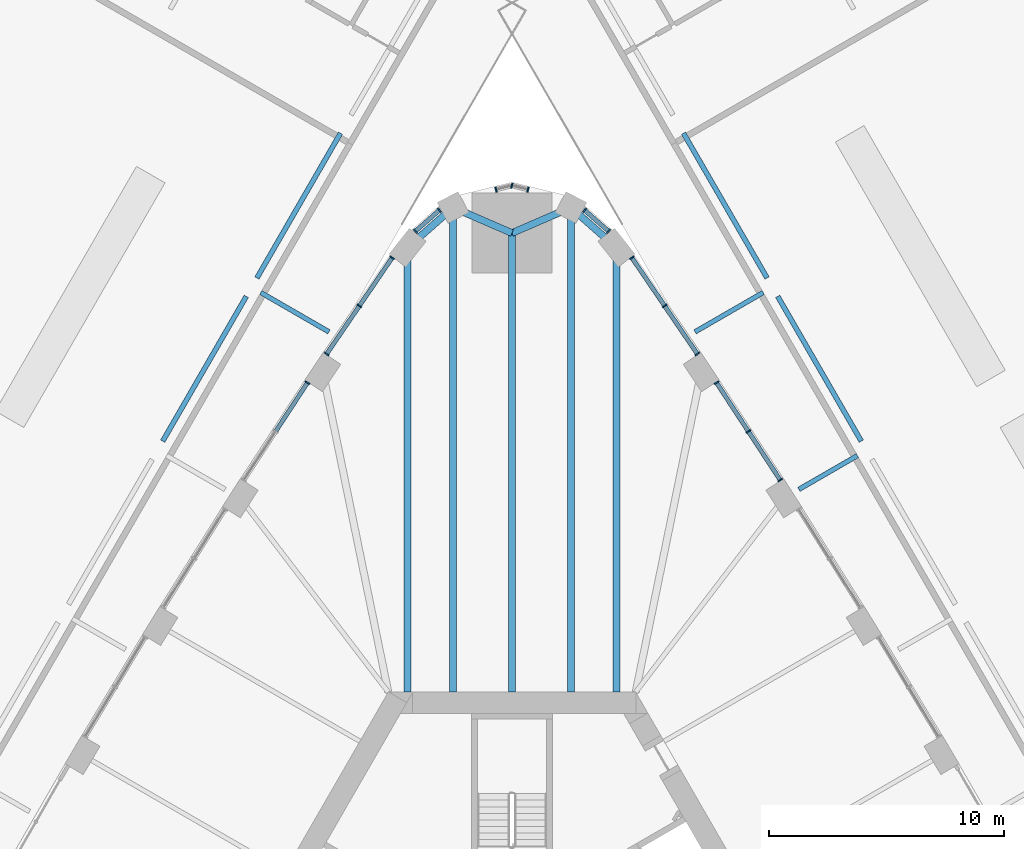
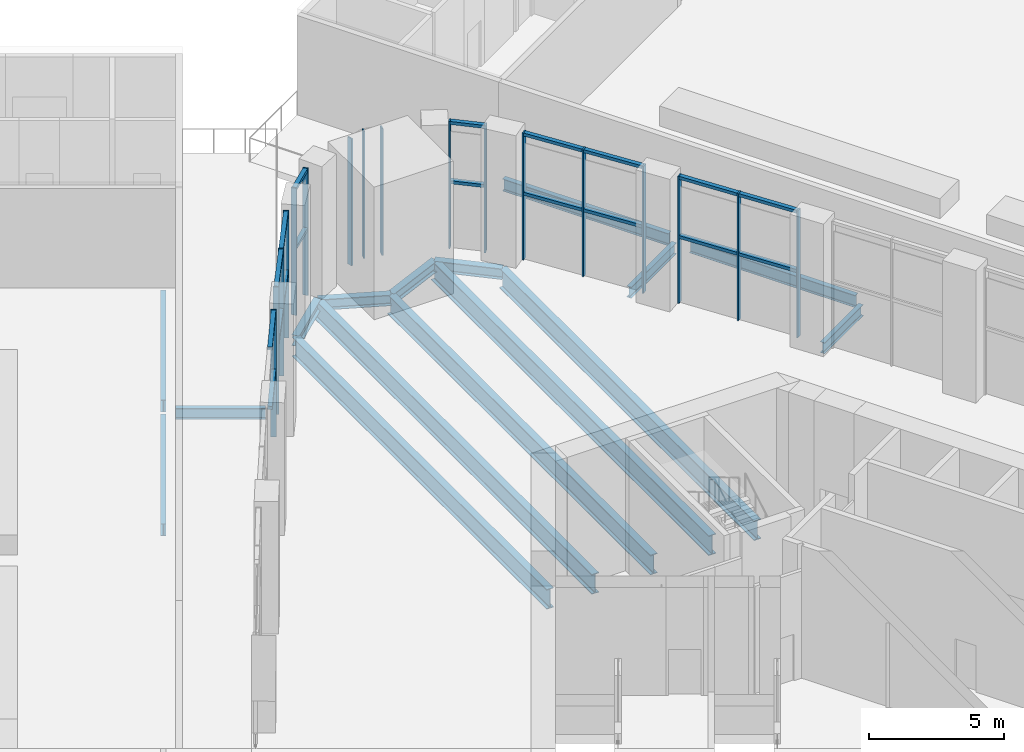
# One storey, part 12 of 41: 35 members, 16 beams, 3 elements without a shape of their own.
"""IFC4 building model written with IfcOpenShell, lengths in metres."""

from ifc_helpers import new_model, si_unit, direction, frame, origin, origin_2d, place, context, subcontext, project, spatial, rectangle, i_section, extrude, material, material_profile, profile_set, type_object, element, aggregate, save


model = new_model("IFC4")

# Units and contexts
model_context = context("Model", 3, precision=1e-05, world=origin(), true_north=direction((0.0, 1.0)))
body_context = subcontext(model_context, "Body", "Model", "MODEL_VIEW")
ifc_project = project(units=[si_unit("LENGTHUNIT", "METRE"), si_unit("AREAUNIT", "SQUARE_METRE"), si_unit("VOLUMEUNIT", "CUBIC_METRE"), si_unit("PLANEANGLEUNIT", "RADIAN"), si_unit("MASSUNIT", "GRAM", prefix="KILO")], contexts=[model_context])

# Site, building, storey
site_placement = place(None, origin())
site = spatial("IfcSite", under=ifc_project, at=site_placement, CompositionType="ELEMENT")
building_placement = place(site_placement, origin())
building = spatial("IfcBuilding", under=site, at=building_placement, Name="Mestral Congress Tower", CompositionType="ELEMENT")
storey_placement = place(building_placement, frame((0.0, 0.0, 21.60009765625)))
storey = spatial("IfcBuildingStorey", under=building, at=storey_placement, Name="L04", CompositionType="ELEMENT", Elevation=21.60009765625)

# Curtain wall, members
ifc_material_1 = material(Name="Clear low-emissivity double glazing", Category="glass")
curtain_wall_type = type_object("IfcCurtainWallType", Name="Facade arrival lobby curtain wall", PredefinedType="USERDEFINED", material=ifc_material_1)
placement = place(storey_placement, origin())
curtain_wall_1 = element("IfcCurtainWall", 1, at=placement, inside=storey, type_object=curtain_wall_type, Name="Facade arrival lobby curtain wall face 2", ObjectType="CURTAIN WALL", PredefinedType="USERDEFINED")
ifc_material_2 = material(Name="Anodised aluminium", Category="aluminium")
ifc_material_profile_1 = material_profile(ifc_material_2, rectangle(XDim=0.219970703125, YDim=0.06005859375, at=origin_2d()), Name="CW4 mullion 220 x 60")
ifc_profile_set_1 = profile_set([ifc_material_profile_1], Name="Anodised aluminium")
member_type_1 = type_object("IfcMemberType", Name="Facade arrival lobby curtain wall mullion", PredefinedType="MULLION", material=ifc_profile_set_1)
member_1_placement = place(storey_placement, frame((11.39013671875, 25.906494140625, 0.0), z_axis=(0.0, 0.0, 1.0), x_axis=(0.836982141811, 0.547230202282, 0.0)))
member_1 = element("IfcMember", 2, at=member_1_placement, type_object=member_type_1, Name="Facade arrival lobby curtain wall mullion", PredefinedType="MULLION", context=body_context, shape_type="SweptSolid", body=[
    extrude(rectangle(XDim=0.219970703125, YDim=0.06005859375, at=origin_2d()), origin(), (0.0, 0.0, 1.0), 5.75),
])
member_2_placement = place(storey_placement, frame((10.0390625, 27.97314453125, 0.0), z_axis=(0.0, 0.0, 1.0), x_axis=(0.836982141811, 0.547230202282, 0.0)))
member_2 = element("IfcMember", 3, at=member_2_placement, type_object=member_type_1, Name="Facade arrival lobby curtain wall mullion", PredefinedType="MULLION", context=body_context, shape_type="SweptSolid", body=[
    extrude(rectangle(XDim=0.219970703125, YDim=0.06005859375, at=origin_2d()), origin(), (0.0, 0.0, 1.0), 5.75),
])
member_3_placement = place(storey_placement, frame((8.687744140625, 30.039794921875, 0.0), z_axis=(0.0, 0.0, 1.0), x_axis=(0.836982141811, 0.547230202282, 0.0)))
member_3 = element("IfcMember", 4, at=member_3_placement, type_object=member_type_1, Name="Facade arrival lobby curtain wall mullion", PredefinedType="MULLION", context=body_context, shape_type="SweptSolid", body=[
    extrude(rectangle(XDim=0.219970703125, YDim=0.06005859375, at=origin_2d()), origin(), (0.0, 0.0, 1.0), 5.75),
])
member_4_placement = place(storey_placement, frame((7.87353515625, 31.26025390625, 0.0), z_axis=(0.0, 0.0, 1.0), x_axis=(0.826713496407, 0.562623137508, 0.0)))
member_4 = element("IfcMember", 5, at=member_4_placement, type_object=member_type_1, Name="Facade arrival lobby curtain wall mullion", PredefinedType="MULLION", context=body_context, shape_type="SweptSolid", body=[
    extrude(rectangle(XDim=0.219970703125, YDim=0.06005859375, at=origin_2d()), origin(), (0.0, 0.0, 1.0), 5.75),
])
member_5_placement = place(storey_placement, frame((6.482421875, 33.3046875, 0.0), z_axis=(0.0, 0.0, 1.0), x_axis=(0.826713496407, 0.562623137508, 0.0)))
member_5 = element("IfcMember", 6, at=member_5_placement, type_object=member_type_1, Name="Facade arrival lobby curtain wall mullion", PredefinedType="MULLION", context=body_context, shape_type="SweptSolid", body=[
    extrude(rectangle(XDim=0.219970703125, YDim=0.06005859375, at=origin_2d()), origin(), (0.0, 0.0, 1.0), 5.75),
])
member_6_placement = place(storey_placement, frame((5.091064453125, 35.348876953125, 0.0), z_axis=(0.0, 0.0, 1.0), x_axis=(0.826713496407, 0.562623137508, 0.0)))
member_6 = element("IfcMember", 7, at=member_6_placement, type_object=member_type_1, Name="Facade arrival lobby curtain wall mullion", PredefinedType="MULLION", context=body_context, shape_type="SweptSolid", body=[
    extrude(rectangle(XDim=0.219970703125, YDim=0.06005859375, at=origin_2d()), origin(), (0.0, 0.0, 1.0), 5.75),
])

curtain_wall_2 = element("IfcCurtainWall", 8, at=placement, inside=storey, type_object=curtain_wall_type, Name="Facade arrival lobby curtain wall face 3", ObjectType="CURTAIN WALL", PredefinedType="USERDEFINED")
member_7_placement = place(storey_placement, frame((-5.091064453125, 35.348876953125, 0.0), z_axis=(0.0, 0.0, 1.0), x_axis=(-0.826713496407, 0.562623137508, 0.0)))
member_7 = element("IfcMember", 9, at=member_7_placement, type_object=member_type_1, Name="Facade arrival lobby curtain wall mullion", PredefinedType="MULLION", context=body_context, shape_type="SweptSolid", body=[
    extrude(rectangle(XDim=0.219970703125, YDim=0.06005859375, at=origin_2d()), origin(), (0.0, 0.0, 1.0), 5.75),
])
member_8_placement = place(storey_placement, frame((-6.482421875, 33.3046875, 0.0), z_axis=(0.0, 0.0, 1.0), x_axis=(-0.826713496407, 0.562623137508, 0.0)))
member_8 = element("IfcMember", 10, at=member_8_placement, type_object=member_type_1, Name="Facade arrival lobby curtain wall mullion", PredefinedType="MULLION", context=body_context, shape_type="SweptSolid", body=[
    extrude(rectangle(XDim=0.219970703125, YDim=0.06005859375, at=origin_2d()), origin(), (0.0, 0.0, 1.0), 5.75),
])
member_9_placement = place(storey_placement, frame((-7.87353515625, 31.26025390625, 0.0), z_axis=(0.0, 0.0, 1.0), x_axis=(-0.826713496407, 0.562623137508, 0.0)))
member_9 = element("IfcMember", 11, at=member_9_placement, type_object=member_type_1, Name="Facade arrival lobby curtain wall mullion", PredefinedType="MULLION", context=body_context, shape_type="SweptSolid", body=[
    extrude(rectangle(XDim=0.219970703125, YDim=0.06005859375, at=origin_2d()), origin(), (0.0, 0.0, 1.0), 5.75),
])
member_10_placement = place(storey_placement, frame((-8.687744140625, 30.039794921875, 0.0), z_axis=(0.0, 0.0, 1.0), x_axis=(-0.836982141811, 0.547230202282, 0.0)))
member_10 = element("IfcMember", 12, at=member_10_placement, type_object=member_type_1, Name="Facade arrival lobby curtain wall mullion", PredefinedType="MULLION", context=body_context, shape_type="SweptSolid", body=[
    extrude(rectangle(XDim=0.219970703125, YDim=0.06005859375, at=origin_2d()), origin(), (0.0, 0.0, 1.0), 5.75),
])

curtain_wall_3 = element("IfcCurtainWall", 13, at=placement, inside=storey, type_object=curtain_wall_type, Name="Facade arrival lobby curtain wall corner 2", ObjectType="CURTAIN WALL", PredefinedType="USERDEFINED")
member_11_placement = place(storey_placement, frame((4.099609375, 36.47509765625, 0.0), z_axis=(0.0, 0.0, 1.0), x_axis=(0.661650878161, 0.749812053403, 0.0)))
member_11 = element("IfcMember", 14, at=member_11_placement, type_object=member_type_1, Name="Facade arrival lobby curtain wall mullion", PredefinedType="MULLION", context=body_context, shape_type="SweptSolid", body=[
    extrude(rectangle(XDim=0.219970703125, YDim=0.06005859375, at=origin_2d()), origin(), (0.0, 0.0, 1.0), 5.75),
])
member_12_placement = place(storey_placement, frame((3.08349609375, 37.37158203125, 0.0), z_axis=(0.0, 0.0, 1.0), x_axis=(0.661650878161, 0.749812053403, 0.0)))
member_12 = element("IfcMember", 15, at=member_12_placement, type_object=member_type_1, Name="Facade arrival lobby curtain wall mullion", PredefinedType="MULLION", context=body_context, shape_type="SweptSolid", body=[
    extrude(rectangle(XDim=0.219970703125, YDim=0.06005859375, at=origin_2d()), origin(), (0.0, 0.0, 1.0), 5.75),
])
member_13_placement = place(storey_placement, frame((0.677001953125, 38.241455078125, 0.0), z_axis=(0.0, 0.0, 1.0), x_axis=(0.238667356287, 0.971101381444, 0.0)))
member_13 = element("IfcMember", 16, at=member_13_placement, type_object=member_type_1, Name="Facade arrival lobby curtain wall mullion", PredefinedType="MULLION", context=body_context, shape_type="SweptSolid", body=[
    extrude(rectangle(XDim=0.219970703125, YDim=0.06005859375, at=origin_2d()), origin(), (0.0, 0.0, 1.0), 5.75),
])
member_14_placement = place(storey_placement, frame((-0.006591796875, 38.409423828125, 0.0), z_axis=(0.0, 0.0, 1.0), x_axis=(0.238667356287, 0.971101381444, 0.0)))
member_14 = element("IfcMember", 17, at=member_14_placement, type_object=member_type_1, Name="Facade arrival lobby curtain wall mullion", PredefinedType="MULLION", context=body_context, shape_type="SweptSolid", body=[
    extrude(rectangle(XDim=0.219970703125, YDim=0.06005859375, at=origin_2d()), origin(), (0.0, 0.0, 1.0), 5.75),
])
member_15_placement = place(storey_placement, frame((-0.677001953125, 38.241455078125, 0.0), z_axis=(0.0, 0.0, 1.0), x_axis=(-0.238667356287, 0.971101381444, 0.0)))
member_15 = element("IfcMember", 18, at=member_15_placement, type_object=member_type_1, Name="Facade arrival lobby curtain wall mullion", PredefinedType="MULLION", context=body_context, shape_type="SweptSolid", body=[
    extrude(rectangle(XDim=0.219970703125, YDim=0.06005859375, at=origin_2d()), origin(), (0.0, 0.0, 1.0), 5.75),
])
member_16_placement = place(storey_placement, frame((-3.08349609375, 37.37158203125, 0.0), z_axis=(0.0, 0.0, 1.0), x_axis=(-0.661650878161, 0.749812053403, 0.0)))
member_16 = element("IfcMember", 19, at=member_16_placement, type_object=member_type_1, Name="Facade arrival lobby curtain wall mullion", PredefinedType="MULLION", context=body_context, shape_type="SweptSolid", body=[
    extrude(rectangle(XDim=0.219970703125, YDim=0.06005859375, at=origin_2d()), origin(), (0.0, 0.0, 1.0), 5.75),
])
member_17_placement = place(storey_placement, frame((-4.099609375, 36.47509765625, 0.0), z_axis=(0.0, 0.0, 1.0), x_axis=(-0.661650878161, 0.749812053403, 0.0)))
member_17 = element("IfcMember", 20, at=member_17_placement, type_object=member_type_1, Name="Facade arrival lobby curtain wall mullion", PredefinedType="MULLION", context=body_context, shape_type="SweptSolid", body=[
    extrude(rectangle(XDim=0.219970703125, YDim=0.06005859375, at=origin_2d()), origin(), (0.0, 0.0, 1.0), 5.75),
])

# Member
ifc_material_profile_2 = material_profile(ifc_material_2, rectangle(XDim=0.179931640625, YDim=0.139892578125, at=origin_2d()), Name="CW4 transom 180 x 140")
ifc_profile_set_2 = profile_set([ifc_material_profile_2], Name="Anodised aluminium")
member_type_2 = type_object("IfcMemberType", Name="Facade arrival lobby curtain wall transom", PredefinedType="USERDEFINED", material=ifc_profile_set_2)
member_18_placement = place(storey_placement, frame((11.373779296875, 25.931640625, 3.0), z_axis=(-0.547241171667, 0.836974969777, 0.0), x_axis=(-0.836974969777, -0.547241171667, 0.0)))
member_18 = element("IfcMember", 21, at=member_18_placement, type_object=member_type_2, Name="Facade arrival lobby curtain wall transom", ObjectType="TRANSOM", PredefinedType="USERDEFINED", context=body_context, shape_type="SweptSolid", body=[
    extrude(rectangle(XDim=0.179931640625, YDim=0.139892578125, at=origin_2d()), origin(), (0.0, 0.0, 1.0), 2.4091796875),
])

member_19_placement = place(storey_placement, frame((11.373779296875, 25.931640625, 5.679931640625), z_axis=(-0.547241171667, 0.836974969777, 0.0), x_axis=(-0.836974969777, -0.547241171667, 0.0)))
member_19 = element("IfcMember", 22, at=member_19_placement, type_object=member_type_2, Name="Facade arrival lobby curtain wall transom", ObjectType="TRANSOM", PredefinedType="USERDEFINED", context=body_context, shape_type="SweptSolid", body=[
    extrude(rectangle(XDim=0.179931640625, YDim=0.139892578125, at=origin_2d()), origin(), (0.0, 0.0, 1.0), 2.4091796875),
])

member_20_placement = place(storey_placement, frame((10.0224609375, 27.998291015625, 3.0), z_axis=(-0.547241171667, 0.836974969777, 0.0), x_axis=(-0.836974969777, -0.547241171667, 0.0)))
member_20 = element("IfcMember", 23, at=member_20_placement, type_object=member_type_2, Name="Facade arrival lobby curtain wall transom", ObjectType="TRANSOM", PredefinedType="USERDEFINED", context=body_context, shape_type="SweptSolid", body=[
    extrude(rectangle(XDim=0.179931640625, YDim=0.139892578125, at=origin_2d()), origin(), (0.0, 0.0, 1.0), 2.4091796875),
])

member_21_placement = place(storey_placement, frame((10.0224609375, 27.998291015625, 5.679931640625), z_axis=(-0.547241171667, 0.836974969777, 0.0), x_axis=(-0.836974969777, -0.547241171667, 0.0)))
member_21 = element("IfcMember", 24, at=member_21_placement, type_object=member_type_2, Name="Facade arrival lobby curtain wall transom", ObjectType="TRANSOM", PredefinedType="USERDEFINED", context=body_context, shape_type="SweptSolid", body=[
    extrude(rectangle(XDim=0.179931640625, YDim=0.139892578125, at=origin_2d()), origin(), (0.0, 0.0, 1.0), 2.4091796875),
])

member_22_placement = place(storey_placement, frame((7.856689453125, 31.284912109375, 3.0), z_axis=(-0.562567375187, 0.826751442923, 0.0), x_axis=(-0.826751442923, -0.562567375187, 0.0)))
member_22 = element("IfcMember", 25, at=member_22_placement, type_object=member_type_2, Name="Facade arrival lobby curtain wall transom", ObjectType="TRANSOM", PredefinedType="USERDEFINED", context=body_context, shape_type="SweptSolid", body=[
    extrude(rectangle(XDim=0.179931640625, YDim=0.139892578125, at=origin_2d()), origin(), (0.0, 0.0, 1.0), 2.412841796875),
])

member_23_placement = place(storey_placement, frame((7.856689453125, 31.284912109375, 5.679931640625), z_axis=(-0.562567375187, 0.826751442923, 0.0), x_axis=(-0.826751442923, -0.562567375187, 0.0)))
member_23 = element("IfcMember", 26, at=member_23_placement, type_object=member_type_2, Name="Facade arrival lobby curtain wall transom", ObjectType="TRANSOM", PredefinedType="USERDEFINED", context=body_context, shape_type="SweptSolid", body=[
    extrude(rectangle(XDim=0.179931640625, YDim=0.139892578125, at=origin_2d()), origin(), (0.0, 0.0, 1.0), 2.412841796875),
])

member_24_placement = place(storey_placement, frame((6.46533203125, 33.329345703125, 3.0), z_axis=(-0.562567375187, 0.826751442923, 0.0), x_axis=(-0.826751442923, -0.562567375187, 0.0)))
member_24 = element("IfcMember", 27, at=member_24_placement, type_object=member_type_2, Name="Facade arrival lobby curtain wall transom", ObjectType="TRANSOM", PredefinedType="USERDEFINED", context=body_context, shape_type="SweptSolid", body=[
    extrude(rectangle(XDim=0.179931640625, YDim=0.139892578125, at=origin_2d()), origin(), (0.0, 0.0, 1.0), 2.412841796875),
])

member_25_placement = place(storey_placement, frame((6.46533203125, 33.329345703125, 5.679931640625), z_axis=(-0.562567375187, 0.826751442923, 0.0), x_axis=(-0.826751442923, -0.562567375187, 0.0)))
member_25 = element("IfcMember", 28, at=member_25_placement, type_object=member_type_2, Name="Facade arrival lobby curtain wall transom", ObjectType="TRANSOM", PredefinedType="USERDEFINED", context=body_context, shape_type="SweptSolid", body=[
    extrude(rectangle(XDim=0.179931640625, YDim=0.139892578125, at=origin_2d()), origin(), (0.0, 0.0, 1.0), 2.412841796875),
])

aggregate(curtain_wall_1, [member_1, member_2, member_3, member_18, member_19, member_20, member_21, member_4, member_5, member_6, member_22, member_23, member_24, member_25])

member_26_placement = place(storey_placement, frame((-5.10791015625, 35.32421875, 3.0), z_axis=(-0.562567375187, -0.826751442923, 0.0), x_axis=(0.826751442923, -0.562567375187, 0.0)))
member_26 = element("IfcMember", 29, at=member_26_placement, type_object=member_type_2, Name="Facade arrival lobby curtain wall transom", ObjectType="TRANSOM", PredefinedType="USERDEFINED", context=body_context, shape_type="SweptSolid", body=[
    extrude(rectangle(XDim=0.179931640625, YDim=0.139892578125, at=origin_2d()), origin(), (0.0, 0.0, 1.0), 2.412841796875),
])

member_27_placement = place(storey_placement, frame((-5.10791015625, 35.32421875, 5.679931640625), z_axis=(-0.562567375187, -0.826751442923, 0.0), x_axis=(0.826751442923, -0.562567375187, 0.0)))
member_27 = element("IfcMember", 30, at=member_27_placement, type_object=member_type_2, Name="Facade arrival lobby curtain wall transom", ObjectType="TRANSOM", PredefinedType="USERDEFINED", context=body_context, shape_type="SweptSolid", body=[
    extrude(rectangle(XDim=0.179931640625, YDim=0.139892578125, at=origin_2d()), origin(), (0.0, 0.0, 1.0), 2.412841796875),
])

member_28_placement = place(storey_placement, frame((-6.499267578125, 33.27978515625, 3.0), z_axis=(-0.562567375187, -0.826751442923, 0.0), x_axis=(0.826751442923, -0.562567375187, 0.0)))
member_28 = element("IfcMember", 31, at=member_28_placement, type_object=member_type_2, Name="Facade arrival lobby curtain wall transom", ObjectType="TRANSOM", PredefinedType="USERDEFINED", context=body_context, shape_type="SweptSolid", body=[
    extrude(rectangle(XDim=0.179931640625, YDim=0.139892578125, at=origin_2d()), origin(), (0.0, 0.0, 1.0), 2.412841796875),
])

member_29_placement = place(storey_placement, frame((-6.499267578125, 33.27978515625, 5.679931640625), z_axis=(-0.562567375187, -0.826751442923, 0.0), x_axis=(0.826751442923, -0.562567375187, 0.0)))
member_29 = element("IfcMember", 32, at=member_29_placement, type_object=member_type_2, Name="Facade arrival lobby curtain wall transom", ObjectType="TRANSOM", PredefinedType="USERDEFINED", context=body_context, shape_type="SweptSolid", body=[
    extrude(rectangle(XDim=0.179931640625, YDim=0.139892578125, at=origin_2d()), origin(), (0.0, 0.0, 1.0), 2.412841796875),
])

member_30_placement = place(storey_placement, frame((-8.7041015625, 30.0146484375, 3.0), z_axis=(-0.547241171667, -0.836974969777, 0.0), x_axis=(0.836974969777, -0.547241171667, 0.0)))
member_30 = element("IfcMember", 33, at=member_30_placement, type_object=member_type_2, Name="Facade arrival lobby curtain wall transom", ObjectType="TRANSOM", PredefinedType="USERDEFINED", context=body_context, shape_type="SweptSolid", body=[
    extrude(rectangle(XDim=0.179931640625, YDim=0.139892578125, at=origin_2d()), origin(), (0.0, 0.0, 1.0), 2.4091796875),
])

member_31_placement = place(storey_placement, frame((-8.7041015625, 30.0146484375, 5.679931640625), z_axis=(-0.547241171667, -0.836974969777, 0.0), x_axis=(0.836974969777, -0.547241171667, 0.0)))
member_31 = element("IfcMember", 34, at=member_31_placement, type_object=member_type_2, Name="Facade arrival lobby curtain wall transom", ObjectType="TRANSOM", PredefinedType="USERDEFINED", context=body_context, shape_type="SweptSolid", body=[
    extrude(rectangle(XDim=0.179931640625, YDim=0.139892578125, at=origin_2d()), origin(), (0.0, 0.0, 1.0), 2.4091796875),
])

aggregate(curtain_wall_2, [member_7, member_8, member_9, member_26, member_27, member_28, member_29, member_10, member_30, member_31])

member_32_placement = place(storey_placement, frame((4.0771484375, 36.494873046875, 3.0), z_axis=(-0.749755324944, 0.661715159807, 0.0), x_axis=(-0.661715159807, -0.749755324944, 0.0)))
member_32 = element("IfcMember", 35, at=member_32_placement, type_object=member_type_2, Name="Facade arrival lobby curtain wall transom", ObjectType="TRANSOM", PredefinedType="USERDEFINED", context=body_context, shape_type="SweptSolid", body=[
    extrude(rectangle(XDim=0.179931640625, YDim=0.139892578125, at=origin_2d()), origin(), (0.0, 0.0, 1.0), 1.294921875),
])

member_33_placement = place(storey_placement, frame((4.0771484375, 36.494873046875, 5.679931640625), z_axis=(-0.749755324944, 0.661715159807, 0.0), x_axis=(-0.661715159807, -0.749755324944, 0.0)))
member_33 = element("IfcMember", 36, at=member_33_placement, type_object=member_type_2, Name="Facade arrival lobby curtain wall transom", ObjectType="TRANSOM", PredefinedType="USERDEFINED", context=body_context, shape_type="SweptSolid", body=[
    extrude(rectangle(XDim=0.179931640625, YDim=0.139892578125, at=origin_2d()), origin(), (0.0, 0.0, 1.0), 1.294921875),
])

member_34_placement = place(storey_placement, frame((-3.106201171875, 37.351806640625, 3.0), z_axis=(-0.749755324944, -0.661715159807, 0.0), x_axis=(0.661715159807, -0.749755324944, 0.0)))
member_34 = element("IfcMember", 37, at=member_34_placement, type_object=member_type_2, Name="Facade arrival lobby curtain wall transom", ObjectType="TRANSOM", PredefinedType="USERDEFINED", context=body_context, shape_type="SweptSolid", body=[
    extrude(rectangle(XDim=0.179931640625, YDim=0.139892578125, at=origin_2d()), origin(), (0.0, 0.0, 1.0), 1.294921875),
])

member_35_placement = place(storey_placement, frame((-3.106201171875, 37.351806640625, 5.679931640625), z_axis=(-0.749755324944, -0.661715159807, 0.0), x_axis=(0.661715159807, -0.749755324944, 0.0)))
member_35 = element("IfcMember", 38, at=member_35_placement, type_object=member_type_2, Name="Facade arrival lobby curtain wall transom", ObjectType="TRANSOM", PredefinedType="USERDEFINED", context=body_context, shape_type="SweptSolid", body=[
    extrude(rectangle(XDim=0.179931640625, YDim=0.139892578125, at=origin_2d()), origin(), (0.0, 0.0, 1.0), 1.294921875),
])

aggregate(curtain_wall_3, [member_11, member_12, member_32, member_33, member_13, member_14, member_15, member_16, member_17, member_34, member_35])

# Beams
ifc_material_3 = material(Name="Steel S355", Category="steel")
ifc_material_profile_3 = material_profile(ifc_material_3, i_section(OverallWidth=0.300048828125, OverallDepth=0.89990234375, WebThickness=0.0185546875, FlangeThickness=0.034912109375, FilletRadius=0.030029296875, at=origin_2d()), Name="HEB 900")
ifc_profile_set_3 = profile_set([ifc_material_profile_3], Name="Steel S355")
beam_type_1 = type_object("IfcBeamType", Name="Floor beam HEB 900 S355", PredefinedType="BEAM", material=ifc_profile_set_3)
beam_1_placement = place(storey_placement, frame((4.43603515625, 35.7783203125, -0.85009765625), z_axis=(0.0, -1.0, 0.0), x_axis=(1.0, 0.0, 0.0)))
element("IfcBeam", 39, at=beam_1_placement, inside=storey, type_object=beam_type_1, Name="BM-L04-RB1-E09", PredefinedType="BEAM", context=body_context, shape_type="SweptSolid", body=[
    extrude(i_section(OverallWidth=0.300048828125, OverallDepth=0.89990234375, WebThickness=0.0185546875, FlangeThickness=0.034912109375, FilletRadius=0.030029296875, at=origin_2d()), origin(), (0.0, 0.0, 1.0), 18.87841796875),
])
beam_2_placement = place(storey_placement, frame((2.503173828125, 37.483642578125, -0.85009765625), z_axis=(0.0, -1.0, 0.0), x_axis=(1.0, 0.0, 0.0)))
element("IfcBeam", 40, at=beam_2_placement, inside=storey, type_object=beam_type_1, Name="BM-L04-RB1-N1", PredefinedType="BEAM", context=body_context, shape_type="SweptSolid", body=[
    extrude(i_section(OverallWidth=0.300048828125, OverallDepth=0.89990234375, WebThickness=0.0185546875, FlangeThickness=0.034912109375, FilletRadius=0.030029296875, at=origin_2d()), origin(), (0.0, 0.0, 1.0), 20.583740234375),
])
beam_3_placement = place(storey_placement, frame((0.0, 36.39892578125, -0.85009765625), z_axis=(0.0, -1.0, 0.0), x_axis=(1.0, 0.0, 0.0)))
element("IfcBeam", 41, at=beam_3_placement, inside=storey, type_object=beam_type_1, Name="BM-L04-RB1-N", PredefinedType="BEAM", context=body_context, shape_type="SweptSolid", body=[
    extrude(i_section(OverallWidth=0.300048828125, OverallDepth=0.89990234375, WebThickness=0.0185546875, FlangeThickness=0.034912109375, FilletRadius=0.030029296875, at=origin_2d()), origin(), (0.0, 0.0, 1.0), 19.4990234375),
])
beam_4_placement = place(storey_placement, frame((-2.503173828125, 37.483642578125, -0.85009765625), z_axis=(0.0, -1.0, 0.0), x_axis=(1.0, 0.0, 0.0)))
element("IfcBeam", 42, at=beam_4_placement, inside=storey, type_object=beam_type_1, Name="BM-L04-RB1-N3", PredefinedType="BEAM", context=body_context, shape_type="SweptSolid", body=[
    extrude(i_section(OverallWidth=0.300048828125, OverallDepth=0.89990234375, WebThickness=0.0185546875, FlangeThickness=0.034912109375, FilletRadius=0.030029296875, at=origin_2d()), origin(), (0.0, 0.0, 1.0), 20.583740234375),
])
beam_5_placement = place(storey_placement, frame((-4.43603515625, 35.7783203125, -0.85009765625), z_axis=(0.0, -1.0, 0.0), x_axis=(1.0, 0.0, 0.0)))
element("IfcBeam", 43, at=beam_5_placement, inside=storey, type_object=beam_type_1, Name="BM-L04-RB1-W00", PredefinedType="BEAM", context=body_context, shape_type="SweptSolid", body=[
    extrude(i_section(OverallWidth=0.300048828125, OverallDepth=0.89990234375, WebThickness=0.0185546875, FlangeThickness=0.034912109375, FilletRadius=0.030029296875, at=origin_2d()), origin(), (0.0, 0.0, 1.0), 18.87841796875),
])
ifc_material_profile_4 = material_profile(ifc_material_3, i_section(OverallWidth=0.199951171875, OverallDepth=0.5, WebThickness=0.01025390625, FlangeThickness=0.01611328125, FilletRadius=0.02099609375, at=origin_2d()), Name="IPE 500")
ifc_profile_set_4 = profile_set([ifc_material_profile_4], Name="Steel S355")
beam_type_2 = type_object("IfcBeamType", Name="Floor beam IPE 500 S355", PredefinedType="BEAM", material=ifc_profile_set_4)
beam_6_placement = place(storey_placement, frame((14.6708984375, 26.9453125, -0.550048828125), z_axis=(-0.866056658381, -0.499945861543, 0.0), x_axis=(0.499945861543, -0.866056658381, 0.0)))
element("IfcBeam", 44, at=beam_6_placement, inside=storey, type_object=beam_type_2, Name="BM-L04-E-K08", PredefinedType="BEAM", context=body_context, shape_type="SweptSolid", body=[
    extrude(i_section(OverallWidth=0.199951171875, OverallDepth=0.5, WebThickness=0.01025390625, FlangeThickness=0.01611328125, FilletRadius=0.02099609375, at=origin_2d()), origin(), (0.0, 0.0, 1.0), 2.869384765625),
])
for number, where, z_axis, x_axis, name in (
    (45, (10.6708984375, 33.87353515625, -0.550048828125), (-0.866032345022, -0.499987977232, 0.0), (0.499987977232, -0.866032345022, 0.0), "BM-L04-E-K09"),
    (46, (-10.6708984375, 33.87353515625, -0.550048828125), (0.866032345022, -0.499987977232, 0.0), (0.499987977232, 0.866032345022, 0.0), "BM-L04-W-K03"),
):
    element("IfcBeam", number, at=place(storey_placement, frame(where, z_axis=z_axis, x_axis=x_axis)), inside=storey, type_object=beam_type_2, Name=name, PredefinedType="BEAM", context=body_context, shape_type="SweptSolid", body=[
        extrude(i_section(OverallWidth=0.199951171875, OverallDepth=0.5, WebThickness=0.01025390625, FlangeThickness=0.01611328125, FilletRadius=0.02099609375, at=origin_2d()), origin(), (0.0, 0.0, 1.0), 3.3427734375),
    ])
ifc_material_profile_5 = material_profile(ifc_material_3, i_section(OverallWidth=0.2099609375, OverallDepth=0.550048828125, WebThickness=0.010986328125, FlangeThickness=0.01708984375, FilletRadius=0.02392578125, at=origin_2d()), Name="IPE 550")
ifc_profile_set_5 = profile_set([ifc_material_profile_5], Name="Steel S355")
beam_type_3 = type_object("IfcBeamType", Name="Floor beam IPE 550 S355", PredefinedType="BEAM", material=ifc_profile_set_5)
for number, where, z_axis, x_axis, name in (
    (47, (14.83544921875, 27.56005859375, -0.5751953125), (-0.499996289485, 0.866027546041, 0.0), (-0.866027546041, -0.499996289485, 0.0), "BM-L04-E-U08A"),
    (48, (10.83544921875, 34.48828125, -0.5751953125), (-0.499996289485, 0.866027546041, 0.0), (-0.866027546041, -0.499996289485, 0.0), "BM-L04-E-U09A"),
    (49, (-7.285400390625, 40.63720703125, -0.5751953125), (-0.499996289485, -0.866027546041, 0.0), (0.866027546041, -0.499996289485, 0.0), "BM-L04-W-U02A"),
    (50, (-11.285400390625, 33.708984375, -0.5751953125), (-0.499996289485, -0.866027546041, 0.0), (0.866027546041, -0.499996289485, 0.0), "BM-L04-W-U03A"),
):
    element("IfcBeam", number, at=place(storey_placement, frame(where, z_axis=z_axis, x_axis=x_axis)), inside=storey, type_object=beam_type_3, Name=name, PredefinedType="BEAM", context=body_context, shape_type="SweptSolid", body=[
        extrude(i_section(OverallWidth=0.2099609375, OverallDepth=0.550048828125, WebThickness=0.010986328125, FlangeThickness=0.01708984375, FilletRadius=0.02392578125, at=origin_2d()), origin(), (0.0, 0.0, 1.0), 7.10009765625),
    ])
ifc_material_profile_6 = material_profile(ifc_material_3, i_section(OverallWidth=0.300048828125, OverallDepth=0.489990234375, WebThickness=0.011962890625, FlangeThickness=0.02294921875, FilletRadius=0.027099609375, at=origin_2d()), Name="HEA 500")
ifc_profile_set_6 = profile_set([ifc_material_profile_6], Name="Steel S355")
beam_type_4 = type_object("IfcBeamType", Name="Spandrel beam HEA 500 S355", PredefinedType="BEAM", material=ifc_profile_set_6)
beam_7_placement = place(storey_placement, frame((4.43603515625, 35.7783203125, -0.64501953125), z_axis=(-0.749865495527, 0.661590310251, 0.0), x_axis=(-0.661590310251, -0.749865495527, 0.0)))
element("IfcBeam", 51, at=beam_7_placement, inside=storey, type_object=beam_type_4, Name="SP-L04-SB1-E09", PredefinedType="BEAM", context=body_context, shape_type="SweptSolid", body=[
    extrude(i_section(OverallWidth=0.300048828125, OverallDepth=0.489990234375, WebThickness=0.011962890625, FlangeThickness=0.02294921875, FilletRadius=0.027099609375, at=origin_2d()), origin(), (0.0, 0.0, 1.0), 2.57763671875),
])
for number, where, z_axis, x_axis, name in (
    (52, (2.503173828125, 37.483642578125, -0.64501953125), (-0.917554537012, -0.397609949082, 0.0), (0.397609949082, -0.917554537012, 0.0), "SP-L04-SB1-N1"),
    (53, (0.0, 36.39892578125, -0.64501953125), (-0.917554537012, 0.397609949082, 0.0), (-0.397609949082, -0.917554537012, 0.0), "SP-L04-SB1-N"),
):
    element("IfcBeam", number, at=place(storey_placement, frame(where, z_axis=z_axis, x_axis=x_axis)), inside=storey, type_object=beam_type_4, Name=name, PredefinedType="BEAM", context=body_context, shape_type="SweptSolid", body=[
        extrude(i_section(OverallWidth=0.300048828125, OverallDepth=0.489990234375, WebThickness=0.011962890625, FlangeThickness=0.02294921875, FilletRadius=0.027099609375, at=origin_2d()), origin(), (0.0, 0.0, 1.0), 2.72802734375),
    ])
beam_8_placement = place(storey_placement, frame((-2.503173828125, 37.483642578125, -0.64501953125), z_axis=(-0.749865495527, -0.661590310251, 0.0), x_axis=(0.661590310251, -0.749865495527, 0.0)))
element("IfcBeam", 54, at=beam_8_placement, inside=storey, type_object=beam_type_4, Name="SP-L04-SB1-N3", PredefinedType="BEAM", context=body_context, shape_type="SweptSolid", body=[
    extrude(i_section(OverallWidth=0.300048828125, OverallDepth=0.489990234375, WebThickness=0.011962890625, FlangeThickness=0.02294921875, FilletRadius=0.027099609375, at=origin_2d()), origin(), (0.0, 0.0, 1.0), 2.57763671875),
])

save(model, "model.ifc")
